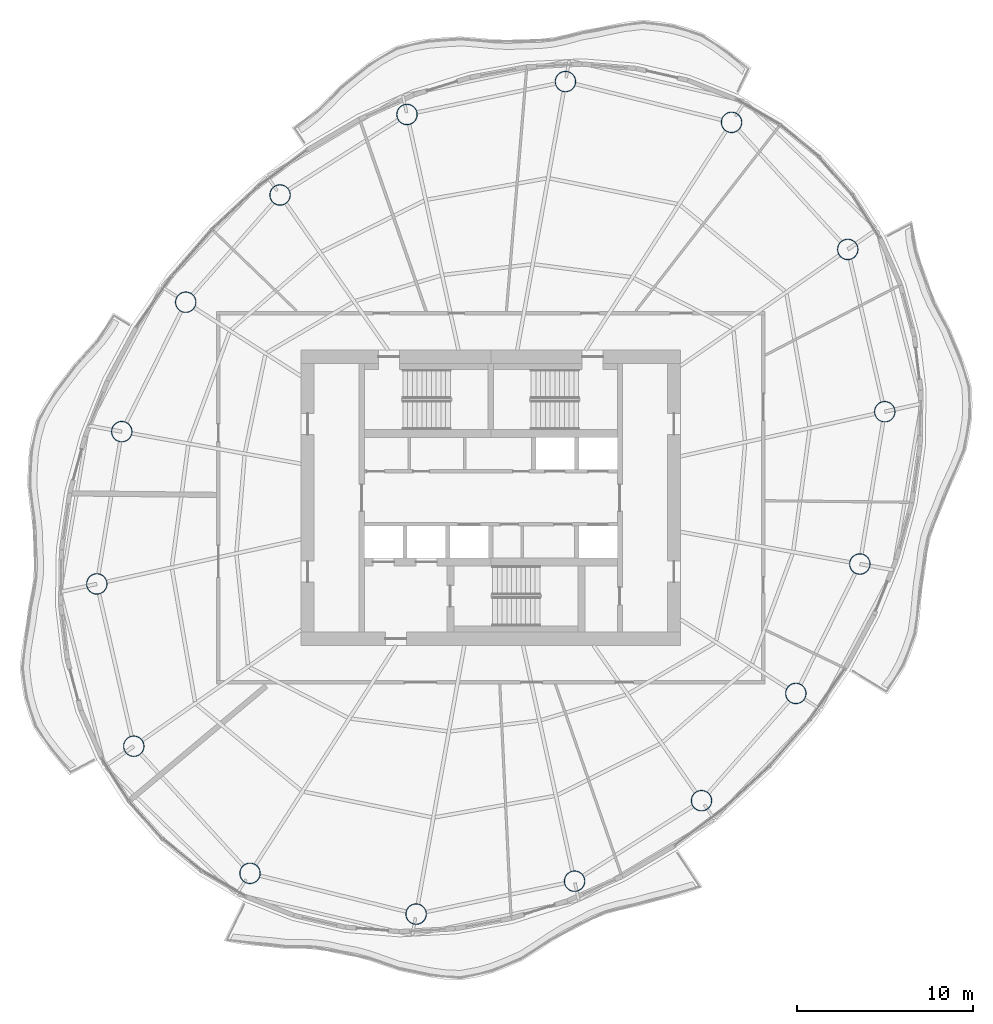
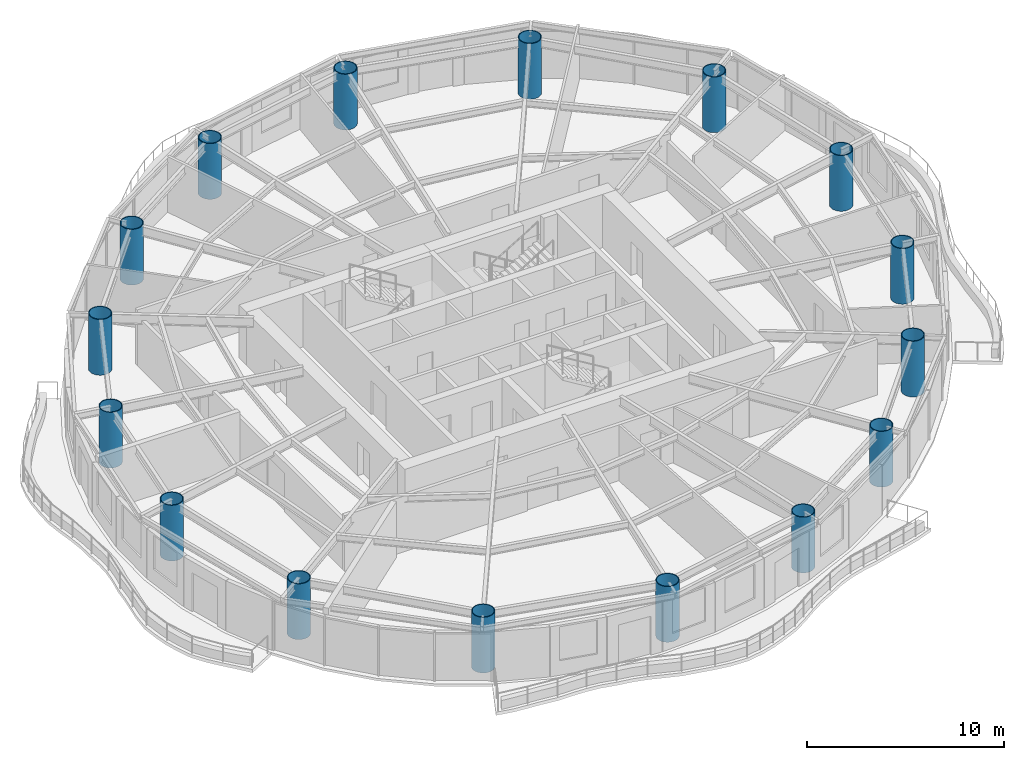
# One storey, part 1 of 14: 16 columns.
"""IFC4 building model written with IfcOpenShell, lengths in metres."""

from ifc_helpers import new_model, si_unit, direction, frame, origin, origin_2d, place, context, subcontext, project, spatial, hollow_circle, extrude, material, material_profile, profile_set, type_object, element, save


model = new_model("IFC4")

# Units and contexts
model_context = context("Model", 3, precision=1e-05, world=origin(), true_north=direction((0.0, 1.0)))
body_context = subcontext(model_context, "Body", "Model", "MODEL_VIEW")
ifc_project = project(units=[si_unit("LENGTHUNIT", "METRE"), si_unit("AREAUNIT", "SQUARE_METRE"), si_unit("VOLUMEUNIT", "CUBIC_METRE"), si_unit("PLANEANGLEUNIT", "RADIAN"), si_unit("MASSUNIT", "GRAM", prefix="KILO")], contexts=[model_context])

# Site, building, storey
site_placement = place(None, origin())
site = spatial("IfcSite", under=ifc_project, at=site_placement, CompositionType="ELEMENT")
building_placement = place(site_placement, origin())
building = spatial("IfcBuilding", under=site, at=building_placement, Name="Vermilion Reach Broadcast Tower", CompositionType="ELEMENT")
storey_placement = place(building_placement, frame((0.0, 0.0, 217.300048828125)))
storey = spatial("IfcBuildingStorey", under=building, at=storey_placement, Name="L53", CompositionType="ELEMENT", Elevation=217.300048828125)

# Columns
ifc_material = material(Name="Concrete C60 infill in steel S460NL tube", Category="concrete")
ifc_material_profile = material_profile(ifc_material, hollow_circle(Radius=0.60009765625, WallThickness=0.044921875, at=origin_2d()), Name="Concrete C60 infill in steel S460NL tube CFT 1200x45")
ifc_profile_set = profile_set([ifc_material_profile], Name="Concrete C60 infill in steel S460NL tube")
column_type = type_object("IfcColumnType", Name="MC4 CFT 1200x45", PredefinedType="COLUMN", material=ifc_profile_set)
for number, where, z_axis, x_axis, name in (
    (1, (7.70361328125, 21.3701171875, 0.0), (0.0, 0.0, 1.0), (1.0, 0.0, 0.0), "Mega-column MC4-01"),
    (2, (-1.75, 23.691162109375, 0.0), (0.0, 0.0, 1.0), (1.0, 0.0, 0.0), "Mega-column MC4-02"),
    (3, (-10.769287109375, 21.818603515625, 0.0), (0.0, 0.0, 1.0), (1.0, 0.0, 0.0), "Mega-column MC4-03"),
    (4, (-17.993408203125, 17.23681640625, 0.0), (0.0, 0.0, 1.0), (1.0, 0.0, 0.0), "Mega-column MC4-04"),
    (5, (-23.36279296875, 11.134033203125, 0.0), (0.0, 0.0, 1.0), (1.0, 0.0, 0.0), "Mega-column MC4-05"),
    (6, (-27.002685546875, 3.767578125, 0.0), (0.0, 0.0, 1.0), (1.0, 0.0, 0.0), "Mega-column MC4-06"),
    (7, (-28.423828125, -4.9013671875, 0.0), (0.0, 0.0, 1.0), (1.0, 0.0, 0.0), "Mega-column MC4-07"),
    (8, (-26.318115234375, -14.13720703125, 0.0), (0.0, 0.0, 1.0), (1.0, 0.0, 0.0), "Mega-column MC4-08"),
    (9, (-19.70361328125, -21.3701171875, 0.0), (0.0, 0.0, 1.0), (1.0, 0.0, 0.0), "Mega-column MC4-09"),
    (10, (-10.25, -23.691162109375, 0.0), (0.0, 0.0, 1.0), (1.0, 0.0, 0.0), "Mega-column MC4-10"),
    (11, (-1.230712890625, -21.818603515625, 0.0), (0.0, 0.0, 1.0), (1.0, 0.0, 0.0), "Mega-column MC4-11"),
    (12, (5.993408203125, -17.23681640625, 0.0), (0.0, 0.0, 1.0), (1.0, 0.0, 0.0), "Mega-column MC4-12"),
    (13, (11.36279296875, -11.134033203125, 0.0), (0.0, 0.0, 1.0), (1.0, 0.0, 0.0), "Mega-column MC4-13"),
    (14, (15.002685546875, -3.767578125, 0.0), (0.0, 0.0, 1.0), (1.0, 0.0, 0.0), "Mega-column MC4-14"),
    (15, (16.423828125, 4.9013671875, 0.0), (0.0, 0.0, 1.0), (1.0, 0.0, 0.0), "Mega-column MC4-15"),
    (16, (14.318115234375, 14.13720703125, 0.0), (0.0, 0.0, 1.0), (1.0, 0.0, 0.0), "Mega-column MC4-16"),
):
    element("IfcColumn", number, at=place(storey_placement, frame(where, z_axis=z_axis, x_axis=x_axis)), inside=storey, type_object=column_type, Name=name, PredefinedType="COLUMN", context=body_context, shape_type="SweptSolid", body=[
        extrude(hollow_circle(Radius=0.60009765625, WallThickness=0.044921875, at=origin_2d()), origin(), (0.0, 0.0, 1.0), 3.449951171875),
    ])

save(model, "model.ifc")
